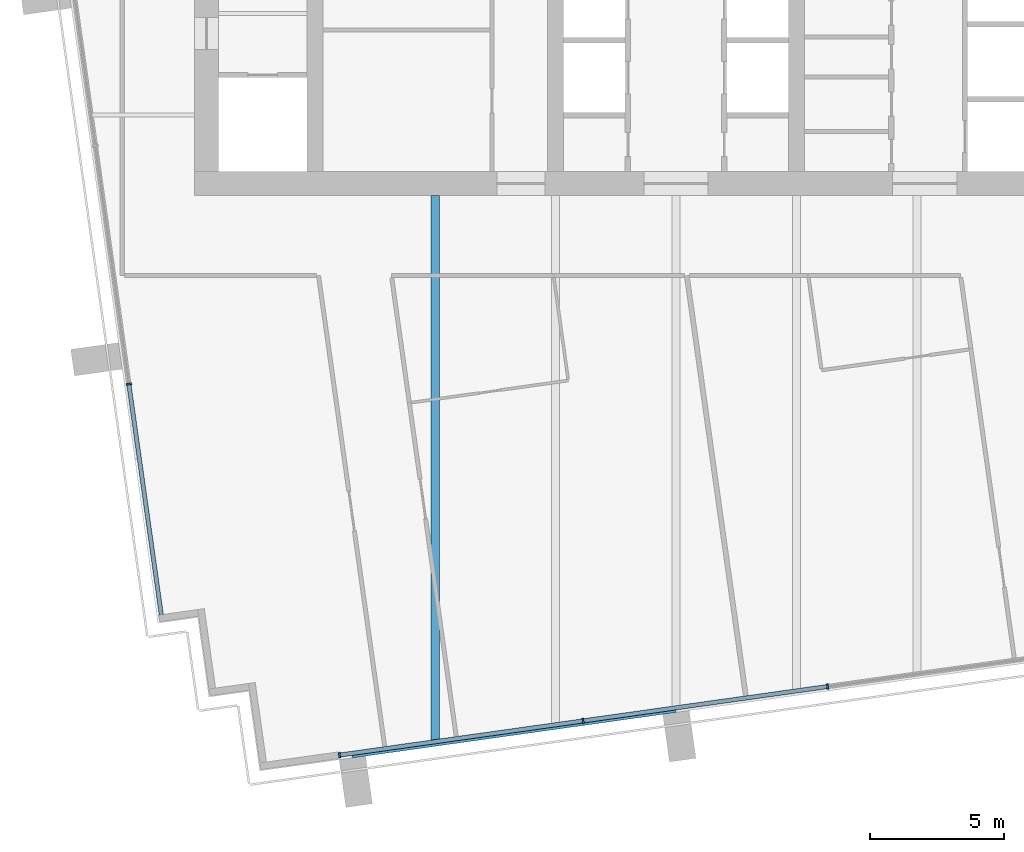
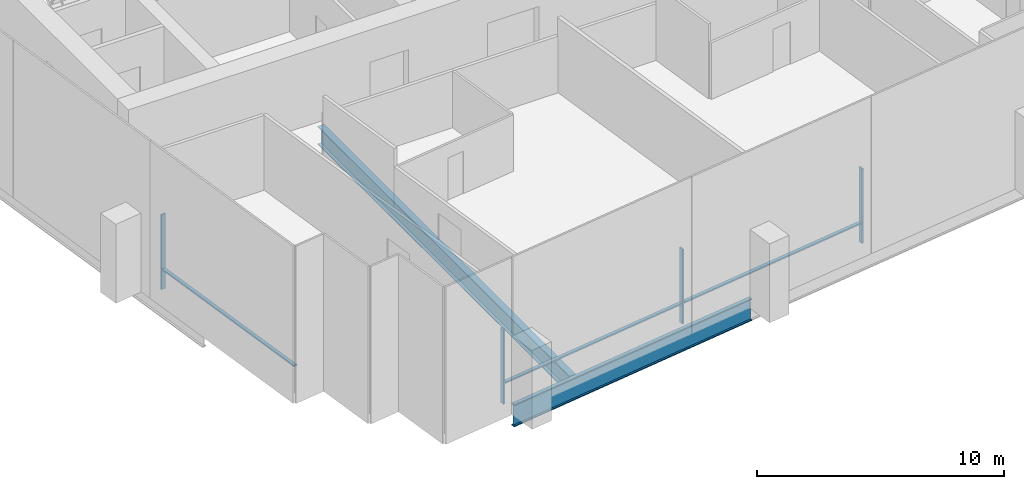
# One storey, part 2 of 17: 7 members, 2 beams, 2 elements without a shape of their own.
"""IFC4 building model written with IfcOpenShell, lengths in metres."""

from ifc_helpers import new_model, si_unit, direction, frame, origin, origin_2d, place, context, subcontext, project, spatial, rectangle, i_section, extrude, material, layer, layer_set, material_profile, profile_set, type_object, element, aggregate, save


model = new_model("IFC4")

# Units and contexts
model_context = context("Model", 3, precision=1e-05, world=origin(), true_north=direction((0.0, 1.0)))
body_context = subcontext(model_context, "Body", "Model", "MODEL_VIEW")
ifc_project = project(units=[si_unit("LENGTHUNIT", "METRE"), si_unit("AREAUNIT", "SQUARE_METRE"), si_unit("VOLUMEUNIT", "CUBIC_METRE"), si_unit("PLANEANGLEUNIT", "RADIAN"), si_unit("MASSUNIT", "GRAM", prefix="KILO")], contexts=[model_context])

# Site, building, storey
site_placement = place(None, origin())
site = spatial("IfcSite", under=ifc_project, at=site_placement, CompositionType="ELEMENT")
building_placement = place(site_placement, origin())
building = spatial("IfcBuilding", under=site, at=building_placement, Name="Rattan Terrace Tower", CompositionType="ELEMENT")
storey_placement = place(building_placement, frame((0.0, 0.0, 236.89990234375)))
storey = spatial("IfcBuildingStorey", under=building, at=storey_placement, Name="L54", CompositionType="ELEMENT", Elevation=236.89990234375)

# Beams
ifc_material_1 = material(Name="Steel S460", Category="steel")
ifc_material_profile_1 = material_profile(ifc_material_1, i_section(OverallWidth=0.179931640625, OverallDepth=1.10009765625, WebThickness=0.01611328125, FlangeThickness=0.050048828125, at=origin_2d()), Name="PG 1100x180-16-50")
ifc_profile_set_1 = profile_set([ifc_material_profile_1], Name="Steel S460")
beam_type_1 = type_object("IfcBeamType", Name="Frame edge girder PG 1100x180-16-50", PredefinedType="SPANDREL", material=ifc_profile_set_1)
beam_1_placement = place(storey_placement, frame((-12.10888671875, -28.43603515625, -0.75), z_axis=(0.990268332234, 0.139171226104, 0.0), x_axis=(-0.139171226104, 0.990268332234, 0.0)))
element("IfcBeam", 1, at=beam_1_placement, inside=storey, type_object=beam_type_1, Name="gdr-L54-001", PredefinedType="SPANDREL", context=body_context, shape_type="SweptSolid", body=[
    extrude(i_section(OverallWidth=0.179931640625, OverallDepth=1.10009765625, WebThickness=0.01611328125, FlangeThickness=0.050048828125, at=origin_2d()), origin(), (0.0, 0.0, 1.0), 12.21484375),
])
ifc_material_2 = material(Name="Steel S460", Category="steel")
ifc_material_profile_2 = material_profile(ifc_material_2, i_section(OverallWidth=0.300048828125, OverallDepth=0.89990234375, WebThickness=0.013916015625, FlangeThickness=0.035888671875, at=origin_2d()), Name="PG 900x300-14-36")
ifc_profile_set_2 = profile_set([ifc_material_profile_2], Name="Steel S460")
beam_type_2 = type_object("IfcBeamType", Name="Frame floor beam PG 900x300-14-36", PredefinedType="JOIST", material=ifc_profile_set_2)
beam_2_placement = place(storey_placement, frame((-9.0, -27.886962890625, -0.64990234375), z_axis=(0.0, 1.0, 0.0), x_axis=(-1.0, 0.0, 0.0)))
element("IfcBeam", 2, at=beam_2_placement, inside=storey, type_object=beam_type_2, Name="bm-L54-003", PredefinedType="JOIST", context=body_context, shape_type="SweptSolid", body=[
    extrude(i_section(OverallWidth=0.300048828125, OverallDepth=0.89990234375, WebThickness=0.013916015625, FlangeThickness=0.035888671875, at=origin_2d()), origin(), (0.0, 0.0, 1.0), 20.386962890625),
])

# Curtain wall, member
ifc_material_3 = material(Name="Aluminium and laminated glass", Category="aluminium")
ifc_layer = layer(ifc_material_3, 0.199951171875)
ifc_layer_set = layer_set([ifc_layer], Name="High-Zone Unitised Curtain Wall")
curtain_wall_type = type_object("IfcCurtainWallType", Name="High-Zone Unitised Curtain Wall", PredefinedType="NOTDEFINED", material=ifc_layer_set)
curtain_wall_1_placement = place(storey_placement, origin())
curtain_wall_1 = element("IfcCurtainWall", 3, at=curtain_wall_1_placement, inside=storey, type_object=curtain_wall_type, Name="High-zone curtain wall L54-3", PredefinedType="NOTDEFINED")
ifc_material_4 = material(Name="Aluminium", Category="aluminium")
ifc_material_profile_3 = material_profile(ifc_material_4, rectangle(XDim=0.070068359375, YDim=0.199951171875, at=origin_2d()), Name="Aluminium 70x200")
ifc_profile_set_3 = profile_set([ifc_material_profile_3], Name="Aluminium")
member_type_1 = type_object("IfcMemberType", Name="High-Zone CW Mullion 70x200", PredefinedType="MULLION", material=ifc_profile_set_3)
member_1_placement = place(storey_placement, frame((-20.452392578125, -14.551025390625, 0.0), z_axis=(0.0, 0.0, 1.0), x_axis=(0.139186165309, -0.990266232579, 0.0)))
member_1 = element("IfcMember", 4, at=member_1_placement, type_object=member_type_1, Name="Mullion cwl-L54-003.3", PredefinedType="MULLION", context=body_context, shape_type="SweptSolid", body=[
    extrude(rectangle(XDim=0.070068359375, YDim=0.199951171875, at=origin_2d()), origin(), (0.0, 0.0, 1.0), 3.7001953125),
])

# Curtain wall, members
curtain_wall_2_placement = place(storey_placement, origin())
curtain_wall_2 = element("IfcCurtainWall", 5, at=curtain_wall_2_placement, inside=storey, type_object=curtain_wall_type, Name="High-zone curtain wall L54-4", PredefinedType="NOTDEFINED")
member_2_placement = place(storey_placement, frame((-12.580078125, -28.4208984375, 0.0), z_axis=(0.0, 0.0, 1.0), x_axis=(0.990267457022, 0.139177453499, 0.0)))
member_2 = element("IfcMember", 6, at=member_2_placement, type_object=member_type_1, Name="Mullion cwl-L54-004.1", PredefinedType="MULLION", context=body_context, shape_type="SweptSolid", body=[
    extrude(rectangle(XDim=0.070068359375, YDim=0.199951171875, at=origin_2d()), origin(), (0.0, 0.0, 1.0), 3.7001953125),
])
member_3_placement = place(storey_placement, frame((-3.473388671875, -27.140869140625, 0.0), z_axis=(0.0, 0.0, 1.0), x_axis=(0.990267457022, 0.139177453499, 0.0)))
member_3 = element("IfcMember", 7, at=member_3_placement, type_object=member_type_1, Name="Mullion cwl-L54-004.2", PredefinedType="MULLION", context=body_context, shape_type="SweptSolid", body=[
    extrude(rectangle(XDim=0.070068359375, YDim=0.199951171875, at=origin_2d()), origin(), (0.0, 0.0, 1.0), 3.7001953125),
])
member_4_placement = place(storey_placement, frame((5.667724609375, -25.856201171875, 0.0), z_axis=(0.0, 0.0, 1.0), x_axis=(0.990267457022, 0.139177453499, 0.0)))
member_4 = element("IfcMember", 8, at=member_4_placement, type_object=member_type_1, Name="Mullion cwl-L54-004.3", PredefinedType="MULLION", context=body_context, shape_type="SweptSolid", body=[
    extrude(rectangle(XDim=0.070068359375, YDim=0.199951171875, at=origin_2d()), origin(), (0.0, 0.0, 1.0), 3.7001953125),
])

# Member
ifc_material_5 = material(Name="Aluminium", Category="aluminium")
ifc_material_profile_4 = material_profile(ifc_material_5, rectangle(XDim=0.159912109375, YDim=0.070068359375, at=origin_2d()), Name="Aluminium 160x70")
ifc_profile_set_4 = profile_set([ifc_material_profile_4], Name="Aluminium")
member_type_2 = type_object("IfcMemberType", Name="High-Zone CW Transom 160x70", PredefinedType="USERDEFINED", material=ifc_profile_set_4)
member_5_placement = place(storey_placement, frame((-20.447509765625, -14.585693359375, 1.0), z_axis=(0.139193563319, -0.990265192729, 0.0), x_axis=(0.990265192729, 0.139193563319, 0.0)))
member_5 = element("IfcMember", 9, at=member_5_placement, type_object=member_type_2, Name="Transom cwl-L54-003.3", ObjectType="TRANSOM", PredefinedType="USERDEFINED", context=body_context, shape_type="SweptSolid", body=[
    extrude(rectangle(XDim=0.159912109375, YDim=0.070068359375, at=origin_2d()), origin(), (0.0, 0.0, 1.0), 8.669921875),
])

aggregate(curtain_wall_1, [member_1, member_5])

member_6_placement = place(storey_placement, frame((-12.54541015625, -28.416015625, 1.0), z_axis=(0.990265856778, 0.139188838988, 0.0), x_axis=(-0.139188838988, 0.990265856778, 0.0)))
member_6 = element("IfcMember", 10, at=member_6_placement, type_object=member_type_2, Name="Transom cwl-L54-004.1", ObjectType="TRANSOM", PredefinedType="USERDEFINED", context=body_context, shape_type="SweptSolid", body=[
    extrude(rectangle(XDim=0.159912109375, YDim=0.070068359375, at=origin_2d()), origin(), (0.0, 0.0, 1.0), 9.126220703125),
])

member_7_placement = place(storey_placement, frame((-3.438720703125, -27.135986328125, 1.0), z_axis=(0.990268863305, 0.13916744723, 0.0), x_axis=(-0.13916744723, 0.990268863305, 0.0)))
member_7 = element("IfcMember", 11, at=member_7_placement, type_object=member_type_2, Name="Transom cwl-L54-004.2", ObjectType="TRANSOM", PredefinedType="USERDEFINED", context=body_context, shape_type="SweptSolid", body=[
    extrude(rectangle(XDim=0.159912109375, YDim=0.070068359375, at=origin_2d()), origin(), (0.0, 0.0, 1.0), 9.160888671875),
])

aggregate(curtain_wall_2, [member_2, member_3, member_4, member_6, member_7])

save(model, "model.ifc")
